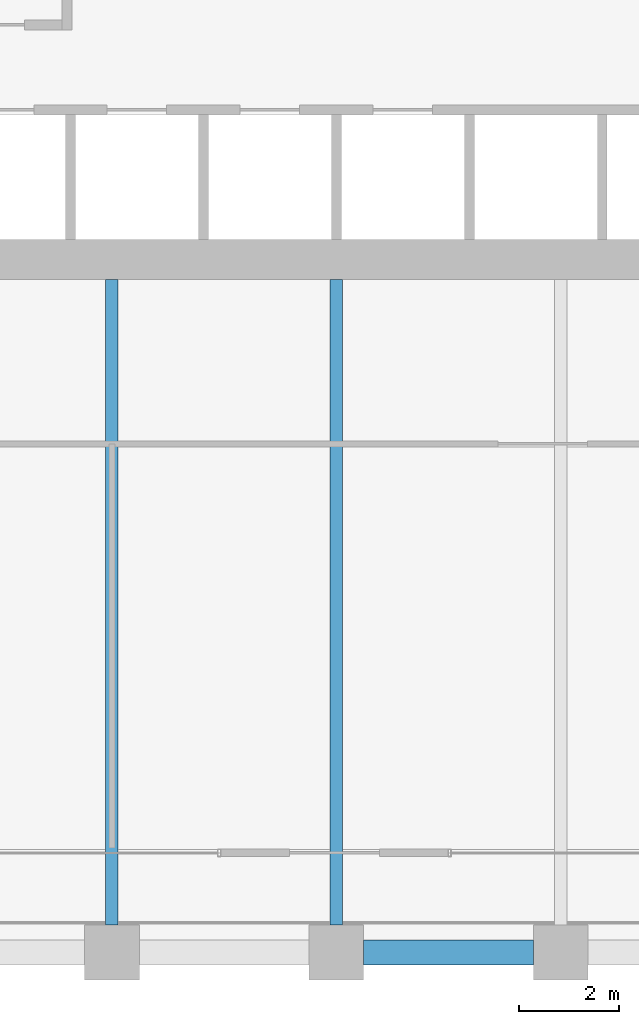
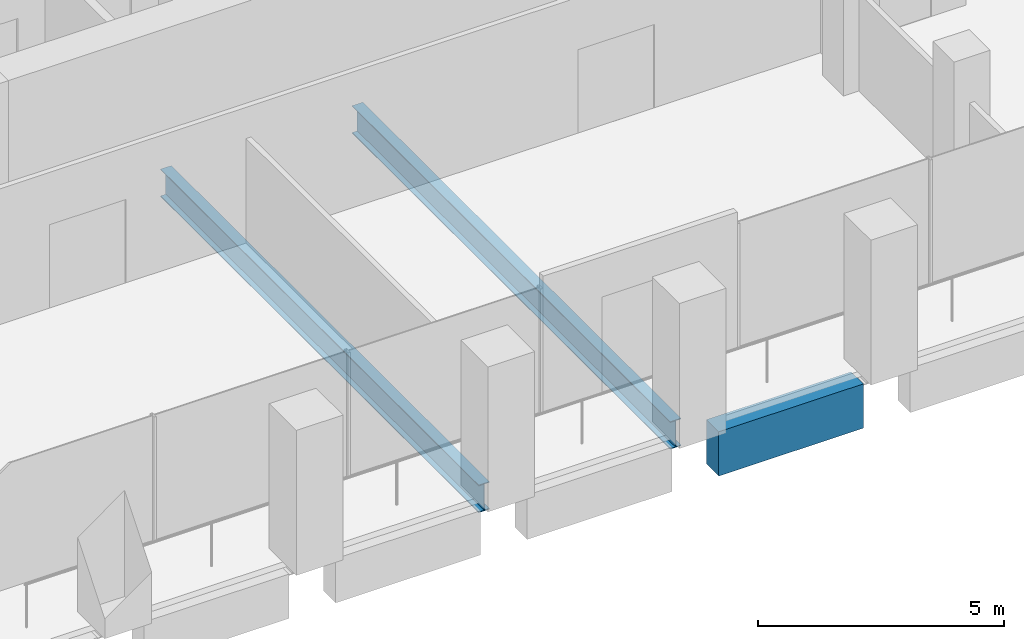
# One storey, part 8 of 56: 3 beams.
"""IFC4 building model written with IfcOpenShell, lengths in metres."""

from ifc_helpers import new_model, si_unit, direction, frame, origin, origin_2d, place, context, subcontext, project, spatial, rectangle, i_section, extrude, material, material_profile, profile_set, type_object, element, save


model = new_model("IFC4")

# Units and contexts
model_context = context("Model", 3, precision=1e-05, world=origin(), true_north=direction((0.0, 1.0)))
body_context = subcontext(model_context, "Body", "Model", "MODEL_VIEW")
ifc_project = project(units=[si_unit("LENGTHUNIT", "METRE"), si_unit("AREAUNIT", "SQUARE_METRE"), si_unit("VOLUMEUNIT", "CUBIC_METRE"), si_unit("PLANEANGLEUNIT", "RADIAN"), si_unit("MASSUNIT", "GRAM", prefix="KILO")], contexts=[model_context])

# Site, building, storey
site_placement = place(None, origin())
site = spatial("IfcSite", under=ifc_project, at=site_placement, CompositionType="ELEMENT")
building_placement = place(site_placement, origin())
building = spatial("IfcBuilding", under=site, at=building_placement, Name="Altepetl Exchange Towers", CompositionType="ELEMENT")
storey_placement = place(building_placement, frame((0.0, 0.0, 83.39990234375)))
storey = spatial("IfcBuildingStorey", under=building, at=storey_placement, Name="L20", CompositionType="ELEMENT", Elevation=83.39990234375)

# Beams
ifc_material_1 = material(Name="Steel S355", Category="steel")
ifc_material_profile_1 = material_profile(ifc_material_1, i_section(OverallWidth=0.25390625, OverallDepth=0.68408203125, WebThickness=0.012451171875, FlangeThickness=0.018798828125, at=origin_2d()), Name="W27X94")
ifc_profile_set_1 = profile_set([ifc_material_profile_1], Name="Steel S355")
beam_type_1 = type_object("IfcBeamType", Name="Floor beam W27X94", PredefinedType="BEAM", material=ifc_profile_set_1)
for number, where, z_axis, x_axis, name in (
    (1, (45.0, 27.550048828125, -0.491943359375), (0.0, 1.0, 0.0), (-1.0, 0.0, 0.0), "bm:A:L20:015"),
    (2, (49.5, 27.550048828125, -0.491943359375), (0.0, 1.0, 0.0), (-1.0, 0.0, 0.0), "bm:A:L20:016"),
):
    element("IfcBeam", number, at=place(storey_placement, frame(where, z_axis=z_axis, x_axis=x_axis)), inside=storey, type_object=beam_type_1, Name=name, PredefinedType="BEAM", context=body_context, shape_type="SweptSolid", body=[
        extrude(i_section(OverallWidth=0.25390625, OverallDepth=0.68408203125, WebThickness=0.012451171875, FlangeThickness=0.018798828125, at=origin_2d()), origin(), (0.0, 0.0, 1.0), 12.949951171875),
    ])
ifc_material_2 = material(Name="Concrete C50/60 precast with cantera blanca facing", Category="concrete")
ifc_material_profile_2 = material_profile(ifc_material_2, rectangle(XDim=0.5, YDim=1.10009765625, at=origin_2d()), Name="500 x 1100")
ifc_profile_set_2 = profile_set([ifc_material_profile_2], Name="Concrete C50/60 precast with cantera blanca facing")
beam_type_2 = type_object("IfcBeamType", Name="Spandrel beam 500x1100 cantera blanca", PredefinedType="SPANDREL", material=ifc_profile_set_2)
beam_placement = place(storey_placement, frame((50.050048828125, 27.0, -0.699951171875), z_axis=(1.0, 0.0, 0.0), x_axis=(0.0, 1.0, 0.0)))
element("IfcBeam", 3, at=beam_placement, inside=storey, type_object=beam_type_2, Name="sp:A:L20:004", PredefinedType="SPANDREL", context=body_context, shape_type="SweptSolid", body=[
    extrude(rectangle(XDim=0.5, YDim=1.10009765625, at=origin_2d()), origin(), (0.0, 0.0, 1.0), 3.39990234375),
])

save(model, "model.ifc")
